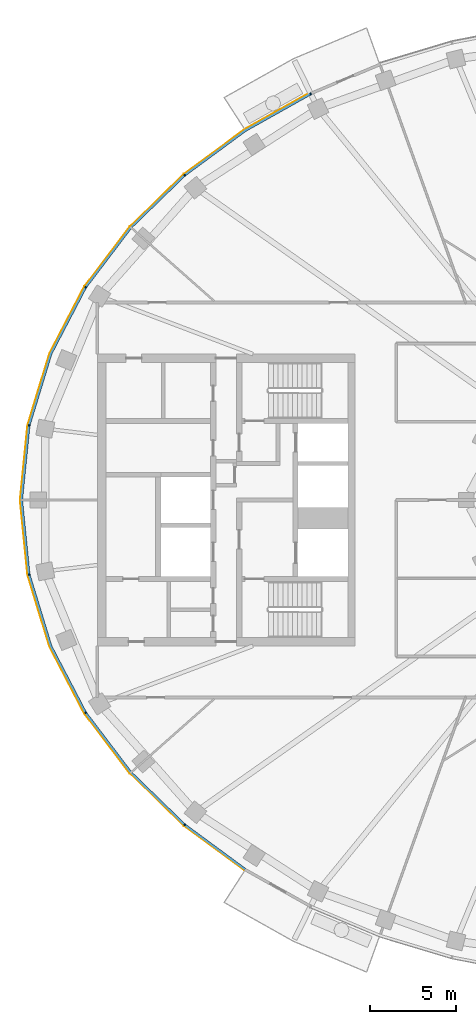
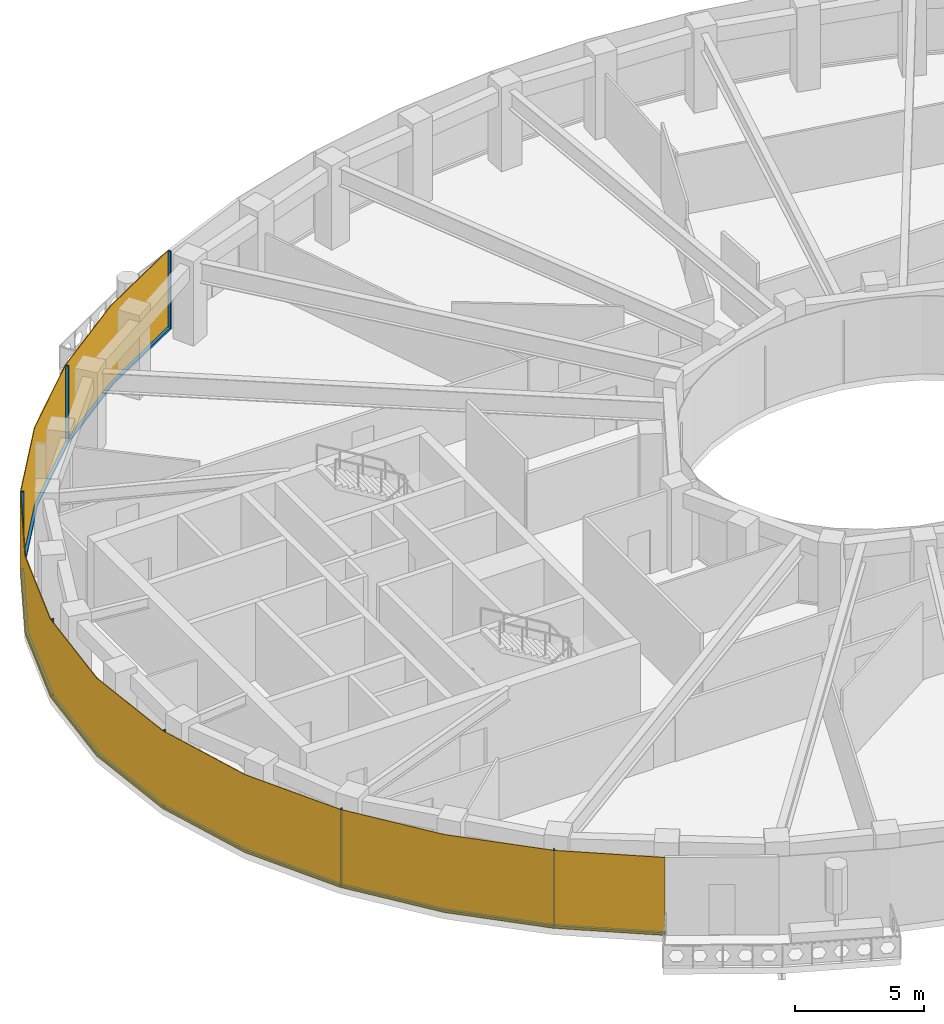
# One storey, part 8 of 15: 14 members, 1 curtain wall.
"""IFC4 building model written with IfcOpenShell, lengths in metres."""

import ifcopenshell
import ifcopenshell.guid

model = None  # the IFC model being written
_history = None  # IfcOwnerHistory: only IFC2X3 demands one
_inside = {}  # id of a spatial element -> (the spatial element, [elements in it])
_under = {}  # id of a project, library or spatial element -> (it, [spatial elements below it])
_declared = {}  # id of a project -> (the project, [libraries it declares])
_typed = {}  # id of a type object -> (the type object, [elements of that type])
_made_of = {}  # id of a material, layer set ... -> (it, [elements and type objects made of it])


def new_model(schema):
    """Start an empty IFC model of exactly this schema.

    Asked for "IFC4X3", IfcOpenShell would pick the latest addendum, in which some entities
    have other attributes; the version numbers below select the first issue.
    IFC2X3 requires an IfcOwnerHistory on every rooted entity: one is made here for all.
    """
    global model, _history
    if schema == "IFC4X3":
        model = ifcopenshell.file(schema_version=(4, 3, 0, 0))
    else:
        model = ifcopenshell.file(schema=schema)
    _inside.clear()
    _under.clear()
    _declared.clear()
    _typed.clear()
    _made_of.clear()
    _history = None
    if model.schema == "IFC2X3":
        org = make("IfcOrganization", Name="unknown")
        user = make(
            "IfcPersonAndOrganization",
            ThePerson=make("IfcPerson", FamilyName="unknown"),
            TheOrganization=org,
        )
        app = make(
            "IfcApplication",
            ApplicationDeveloper=org,
            Version="unknown",
            ApplicationFullName="unknown",
            ApplicationIdentifier="unknown",
        )
        _history = make(
            "IfcOwnerHistory",
            OwningUser=user,
            OwningApplication=app,
            ChangeAction="ADDED",
            CreationDate=0,
        )
    return model


def make(cls, **values):
    """One entity of the class cls with the attributes given. An attribute that is None is left unset."""
    return model.create_entity(
        cls, **{name: value for name, value in values.items() if value is not None}
    )


def rooted(cls, **values):
    """An entity with a GlobalId (a new one), such as an element, a storey or a relation."""
    return make(cls, GlobalId=ifcopenshell.guid.new(), OwnerHistory=_history, **values)


def si_unit(unit_type, name, prefix=None):
    """IfcSIUnit, for example si_unit("LENGTHUNIT", "METRE", prefix="MILLI")."""
    return make("IfcSIUnit", UnitType=unit_type, Prefix=prefix, Name=name)


def assignment(units):
    """IfcUnitAssignment: the units of a project."""
    return None if units is None else make("IfcUnitAssignment", Units=units)


def point(xyz):
    """IfcCartesianPoint."""
    return None if xyz is None else make("IfcCartesianPoint", Coordinates=xyz)


def direction(xyz):
    """IfcDirection."""
    return None if xyz is None else make("IfcDirection", DirectionRatios=xyz)


def frame(location, z_axis=None, x_axis=None):
    """IfcAxis2Placement3D, a coordinate frame: its origin and axes. An axis left out is left unset."""
    return make(
        "IfcAxis2Placement3D",
        Location=point(location),
        Axis=direction(z_axis),
        RefDirection=direction(x_axis),
    )


def frame_2d(location, x_axis=None):
    """IfcAxis2Placement2D, a coordinate frame in the plane: its origin and x axis."""
    return make(
        "IfcAxis2Placement2D", Location=point(location), RefDirection=direction(x_axis)
    )


def origin():
    """The frame at (0, 0, 0) with its axes left unset."""
    return frame((0.0, 0.0, 0.0))


def origin_2d():
    """The frame at (0, 0) in the plane with its x axis left unset."""
    return frame_2d((0.0, 0.0))


def place(relative_to, where):
    """IfcLocalPlacement: puts the frame where relative to a parent placement (None: the world)."""
    return make(
        "IfcLocalPlacement", PlacementRelTo=relative_to, RelativePlacement=where
    )


def context(
    kind, dimensions, precision=None, world=None, true_north=None, identifier=None
):
    """IfcGeometricRepresentationContext, for example the 3D "Model" context."""
    return make(
        "IfcGeometricRepresentationContext",
        ContextIdentifier=identifier,
        ContextType=kind,
        CoordinateSpaceDimension=dimensions,
        Precision=precision,
        WorldCoordinateSystem=world,
        TrueNorth=true_north,
    )


def subcontext(parent, identifier, kind, view, scale=None):
    """IfcGeometricRepresentationSubContext, for example "Body" below "Model"."""
    return make(
        "IfcGeometricRepresentationSubContext",
        ContextIdentifier=identifier,
        ContextType=kind,
        ParentContext=parent,
        TargetScale=scale,
        TargetView=view,
    )


def project(units=None, contexts=None):
    """IfcProject with its units and contexts."""
    return rooted(
        "IfcProject",
        Name="project",
        RepresentationContexts=contexts,
        UnitsInContext=assignment(units),
    )


def spatial(cls, under=None, at=None, **own):
    """A site, building, storey or space (cls), placed at a placement, below another one or the project."""
    s = rooted(cls, ObjectPlacement=at, **own)
    if under is not None:
        _under.setdefault(under.id(), (under, []))[1].append(s)
    return s


def polyline(points):
    """IfcPolyline through the points."""
    return make("IfcPolyline", Points=[point(p) for p in points])


def profile(cls, at=None, kind="AREA", **sizes):
    """A parametric profile (cls). Its sizes go by their IFC names, for example OverallWidth=200.0."""
    return make(cls, ProfileType=kind, Position=at, **sizes)


def rectangle(**sizes):
    """IfcRectangleProfileDef."""
    return profile("IfcRectangleProfileDef", **sizes)


def outline(outer, holes=None, kind="AREA"):
    """IfcArbitraryClosedProfileDef: a profile drawn as a closed curve; with holes, ...WithVoids."""
    if holes is None:
        return make("IfcArbitraryClosedProfileDef", ProfileType=kind, OuterCurve=outer)
    return make(
        "IfcArbitraryProfileDefWithVoids",
        ProfileType=kind,
        OuterCurve=outer,
        InnerCurves=holes,
    )


def extrude(swept, where, along, depth):
    """IfcExtrudedAreaSolid: the profile swept, set in the frame where, extruded along a direction by depth."""
    return make(
        "IfcExtrudedAreaSolid",
        SweptArea=swept,
        Position=where,
        ExtrudedDirection=direction(along),
        Depth=depth,
    )


def shape(context_of_items, identifier, shape_type, items):
    """IfcShapeRepresentation: the items that make up one representation, for example the "Body"."""
    return make(
        "IfcShapeRepresentation",
        ContextOfItems=context_of_items,
        RepresentationIdentifier=identifier,
        RepresentationType=shape_type,
        Items=items,
    )


def material(Name=None, Category=None):
    """IfcMaterial."""
    return make("IfcMaterial", Name=Name, Category=Category)


def layer(
    of_material, thickness, ventilated=None, Name=None, Category=None, Priority=None
):
    """IfcMaterialLayer: one layer of a wall or slab, of a material (None: an air gap)."""
    return make(
        "IfcMaterialLayer",
        Material=of_material,
        LayerThickness=thickness,
        IsVentilated=ventilated,
        Name=Name,
        Category=Category,
        Priority=Priority,
    )


def layer_set(layers, Name=None):
    """IfcMaterialLayerSet."""
    return make("IfcMaterialLayerSet", MaterialLayers=layers, LayerSetName=Name)


def material_profile(
    of_material, cross_section, Name=None, Category=None, Priority=None
):
    """IfcMaterialProfile: a cross section and its material."""
    return make(
        "IfcMaterialProfile",
        Name=Name,
        Material=of_material,
        Profile=cross_section,
        Priority=Priority,
        Category=Category,
    )


def profile_set(profiles, Name=None, composite=None):
    """IfcMaterialProfileSet."""
    return make(
        "IfcMaterialProfileSet",
        Name=Name,
        MaterialProfiles=profiles,
        CompositeProfile=composite,
    )


def made_of(thing, what):
    """Note that an element or type object is made of a material, layer set ...; save() writes the relation."""
    if what is not None:
        _made_of.setdefault(what.id(), (what, []))[1].append(thing)
    return thing


def type_object(cls, material=None, **own):
    """A type object (cls), such as IfcWallType, which elements share."""
    return made_of(rooted(cls, **own), material)


def element(
    cls,
    number,
    at=None,
    inside=None,
    cuts=None,
    type_object=None,
    material=None,
    context=None,
    identifier="Body",
    shape_type=None,
    held_by="IfcProductDefinitionShape",
    body=None,
    shapes=None,
    **own,
):
    """One element of the class cls, such as IfcWall. Its Tag is "e" and its number.

    at: its placement. inside: the storey or other place that contains it. cuts: it is an
    opening in that element (IfcRelVoidsElement). A single representation is given by context,
    identifier, shape_type and body (its items); several are given by shapes. held_by: the class
    of the entity that holds the representations. save() writes the other relations.
    """
    e = rooted(cls, Tag="e%d" % number, ObjectPlacement=at, **own)
    if body is not None:
        shapes = [shape(context, identifier, shape_type, body)]
    if shapes is not None:
        e.Representation = make(held_by, Representations=shapes)
    if inside is not None:
        _inside.setdefault(inside.id(), (inside, []))[1].append(e)
    if cuts is not None:
        rooted(
            "IfcRelVoidsElement", RelatingBuildingElement=cuts, RelatedOpeningElement=e
        )
    if type_object is not None:
        _typed.setdefault(type_object.id(), (type_object, []))[1].append(e)
    return made_of(e, material)


def aggregate(whole, parts):
    """IfcRelAggregates: a whole, such as a stair, and the parts it consists of."""
    return rooted("IfcRelAggregates", RelatingObject=whole, RelatedObjects=parts)


def save(model, path):
    """Write the relations noted so far, then the file.

    IfcRelAggregates (storeys below a building ...), IfcRelContainedInSpatialStructure (elements
    in a storey), IfcRelDefinesByType, IfcRelAssociatesMaterial and IfcRelDeclares: one each for
    every whole, place, type object, material and project.
    """
    for whole, parts in _under.values():
        aggregate(whole, parts)
    for where, things in _inside.values():
        rooted(
            "IfcRelContainedInSpatialStructure",
            RelatedElements=things,
            RelatingStructure=where,
        )
    for kind, things in _typed.values():
        rooted("IfcRelDefinesByType", RelatedObjects=things, RelatingType=kind)
    for what, things in _made_of.values():
        rooted("IfcRelAssociatesMaterial", RelatedObjects=things, RelatingMaterial=what)
    for by, libraries in _declared.values():
        rooted("IfcRelDeclares", RelatingContext=by, RelatedDefinitions=libraries)
    model.write(path)


model = new_model("IFC4")

# Units and contexts
model_context = context("Model", 3, precision=1e-05, world=origin(), true_north=direction((0.0, 1.0)))
body_context = subcontext(model_context, "Body", "Model", "MODEL_VIEW")
ifc_project = project(units=[si_unit("LENGTHUNIT", "METRE"), si_unit("AREAUNIT", "SQUARE_METRE"), si_unit("VOLUMEUNIT", "CUBIC_METRE"), si_unit("PLANEANGLEUNIT", "RADIAN"), si_unit("MASSUNIT", "GRAM", prefix="KILO")], contexts=[model_context])

# Member
ifc_material_1 = material(Name="Aluminium 6063-T6 black anodised", Category="aluminium")
ifc_material_profile = material_profile(ifc_material_1, rectangle(XDim=0.1201171875, YDim=0.06005859375, at=origin_2d()), Name="120x60")
ifc_profile_set = profile_set([ifc_material_profile], Name="Aluminium 6063-T6 black anodised")
member_type_1 = type_object("IfcMemberType", Name="ENV-MULLION-A-120", PredefinedType="MULLION", material=ifc_profile_set)
site_placement = place(None, origin())
building_placement = place(site_placement, origin())
storey_placement = place(building_placement, frame((0.0, 0.0, 307.0)))
member_1_placement = place(storey_placement, frame((-19.06787109375, 23.6474609375, 0.0), z_axis=(0.0, 0.0, 1.0), x_axis=(0.439237769837, -0.898370848563, 0.0)))
member_1 = element("IfcMember", 1, at=member_1_placement, type_object=member_type_1, Name="Mullion A radial 17", PredefinedType="MULLION", context=body_context, shape_type="SweptSolid", body=[
    extrude(rectangle(XDim=0.1201171875, YDim=0.06005859375, at=origin_2d()), origin(), (0.0, 0.0, 1.0), 3.699951171875),
])

member_2_placement = place(storey_placement, frame((-26.403564453125, 18.9130859375, 0.0), z_axis=(0.0, 0.0, 1.0), x_axis=(0.646451313783, -0.762955240435, 0.0)))
member_2 = element("IfcMember", 2, at=member_2_placement, type_object=member_type_1, Name="Mullion A radial 19", PredefinedType="MULLION", context=body_context, shape_type="SweptSolid", body=[
    extrude(rectangle(XDim=0.1201171875, YDim=0.06005859375, at=origin_2d()), origin(), (0.0, 0.0, 1.0), 3.699951171875),
])

member_3_placement = place(storey_placement, frame((-32.177490234375, 12.385498046875, 0.0), z_axis=(0.0, 0.0, 1.0), x_axis=(0.844829880882, -0.53503501976, 0.0)))
member_3 = element("IfcMember", 3, at=member_3_placement, type_object=member_type_1, Name="Mullion A radial 21", PredefinedType="MULLION", context=body_context, shape_type="SweptSolid", body=[
    extrude(rectangle(XDim=0.1201171875, YDim=0.06005859375, at=origin_2d()), origin(), (0.0, 0.0, 1.0), 3.699951171875),
])

member_4_placement = place(storey_placement, frame((-35.470947265625, 4.340576171875, 0.0), z_axis=(0.0, 0.0, 1.0), x_axis=(0.980379083141, -0.19712141776, 0.0)))
member_4 = element("IfcMember", 4, at=member_4_placement, type_object=member_type_1, Name="Mullion A radial 23", PredefinedType="MULLION", context=body_context, shape_type="SweptSolid", body=[
    extrude(rectangle(XDim=0.1201171875, YDim=0.06005859375, at=origin_2d()), origin(), (0.0, 0.0, 1.0), 3.699951171875),
])

member_5_placement = place(storey_placement, frame((-35.470947265625, -4.340576171875, 0.0), z_axis=(0.0, 0.0, 1.0), x_axis=(0.980379083141, 0.19712141776, 0.0)))
member_5 = element("IfcMember", 5, at=member_5_placement, type_object=member_type_1, Name="Mullion A radial 25", PredefinedType="MULLION", context=body_context, shape_type="SweptSolid", body=[
    extrude(rectangle(XDim=0.1201171875, YDim=0.06005859375, at=origin_2d()), origin(), (0.0, 0.0, 1.0), 3.699951171875),
])

member_6_placement = place(storey_placement, frame((-32.177490234375, -12.385498046875, 0.0), z_axis=(0.0, 0.0, 1.0), x_axis=(0.844829880882, 0.53503501976, 0.0)))
member_6 = element("IfcMember", 6, at=member_6_placement, type_object=member_type_1, Name="Mullion A radial 27", PredefinedType="MULLION", context=body_context, shape_type="SweptSolid", body=[
    extrude(rectangle(XDim=0.1201171875, YDim=0.06005859375, at=origin_2d()), origin(), (0.0, 0.0, 1.0), 3.699951171875),
])

member_7_placement = place(storey_placement, frame((-26.403564453125, -18.9130859375, 0.0), z_axis=(0.0, 0.0, 1.0), x_axis=(0.646451313783, 0.762955240435, 0.0)))
member_7 = element("IfcMember", 7, at=member_7_placement, type_object=member_type_1, Name="Mullion A radial 29", PredefinedType="MULLION", context=body_context, shape_type="SweptSolid", body=[
    extrude(rectangle(XDim=0.1201171875, YDim=0.06005859375, at=origin_2d()), origin(), (0.0, 0.0, 1.0), 3.699951171875),
])

ifc_material_2 = material(Name="Aluminium 6063-T6 black anodised", Category="aluminium")
member_type_2 = type_object("IfcMemberType", Name="ENV-TRANSOM-A", PredefinedType="USERDEFINED", material=ifc_material_2)
member_8_placement = place(storey_placement, origin())
member_8 = element("IfcMember", 8, at=member_8_placement, type_object=member_type_2, Name="Transom A radial 17-19", ObjectType="TRANSOM", PredefinedType="USERDEFINED", context=body_context, shape_type="SweptSolid", body=[
    extrude(outline(polyline([(-19.11865234375, 23.687744140625), (-22.9150390625, 21.556884765625), (-26.419921875, 18.975341796875), (-26.342041015625, 18.883544921875), (-22.85009765625, 21.455810546875), (-19.06591796875, 23.57958984375), (-19.11865234375, 23.687744140625)])), origin(), (0.0, 0.0, 1.0), 0.10009765625),
])

member_9_placement = place(storey_placement, origin())
member_9 = element("IfcMember", 9, at=member_9_placement, type_object=member_type_2, Name="Transom A radial 19-21", ObjectType="TRANSOM", PredefinedType="USERDEFINED", context=body_context, shape_type="SweptSolid", body=[
    extrude(outline(polyline([(-26.46240234375, 18.939208984375), (-29.58349609375, 15.906982421875), (-32.211181640625, 12.43994140625), (-32.109375, 12.37548828125), (-29.493408203125, 15.8271484375), (-26.384765625, 18.847412109375), (-26.46240234375, 18.939208984375)])), origin(), (0.0, 0.0, 1.0), 0.10009765625),
])

member_10_placement = place(storey_placement, origin())
member_10 = element("IfcMember", 10, at=member_10_placement, type_object=member_type_2, Name="Transom A radial 21-23", ObjectType="TRANSOM", PredefinedType="USERDEFINED", context=body_context, shape_type="SweptSolid", body=[
    extrude(outline(polyline([(-32.240966796875, 12.392578125), (-34.251220703125, 8.53662109375), (-35.521484375, 4.379150390625), (-35.4033203125, 4.355224609375), (-34.139892578125, 8.490966796875), (-32.139404296875, 12.328369140625), (-32.240966796875, 12.392578125)])), origin(), (0.0, 0.0, 1.0), 0.10009765625),
])

member_11_placement = place(storey_placement, origin())
member_11 = element("IfcMember", 11, at=member_11_placement, type_object=member_type_2, Name="Transom A radial 23-25", ObjectType="TRANSOM", PredefinedType="USERDEFINED", context=body_context, shape_type="SweptSolid", body=[
    extrude(outline(polyline([(-35.532470703125, 4.324462890625), (-35.9677734375, 0.0), (-35.532470703125, -4.324462890625), (-35.414306640625, -4.30078125), (-35.84716796875, 0.0), (-35.414306640625, 4.30078125), (-35.532470703125, 4.324462890625)])), origin(), (0.0, 0.0, 1.0), 0.10009765625),
])

member_12_placement = place(storey_placement, origin())
member_12 = element("IfcMember", 12, at=member_12_placement, type_object=member_type_2, Name="Transom A radial 25-27", ObjectType="TRANSOM", PredefinedType="USERDEFINED", context=body_context, shape_type="SweptSolid", body=[
    extrude(outline(polyline([(-35.521484375, -4.379150390625), (-34.251220703125, -8.53662109375), (-32.240966796875, -12.392578125), (-32.139404296875, -12.328369140625), (-34.139892578125, -8.490966796875), (-35.4033203125, -4.355224609375), (-35.521484375, -4.379150390625)])), origin(), (0.0, 0.0, 1.0), 0.10009765625),
])

member_13_placement = place(storey_placement, origin())
member_13 = element("IfcMember", 13, at=member_13_placement, type_object=member_type_2, Name="Transom A radial 27-29", ObjectType="TRANSOM", PredefinedType="USERDEFINED", context=body_context, shape_type="SweptSolid", body=[
    extrude(outline(polyline([(-32.211181640625, -12.43994140625), (-29.58349609375, -15.906982421875), (-26.46240234375, -18.939208984375), (-26.384765625, -18.847412109375), (-29.493408203125, -15.8271484375), (-32.109375, -12.37548828125), (-32.211181640625, -12.43994140625)])), origin(), (0.0, 0.0, 1.0), 0.10009765625),
])

member_14_placement = place(storey_placement, origin())
member_14 = element("IfcMember", 14, at=member_14_placement, type_object=member_type_2, Name="Transom A radial 29-30", ObjectType="TRANSOM", PredefinedType="USERDEFINED", context=body_context, shape_type="SweptSolid", body=[
    extrude(outline(polyline([(-26.419921875, -18.975341796875), (-22.931396484375, -21.544921875), (-22.8662109375, -21.444091796875), (-26.342041015625, -18.883544921875), (-26.419921875, -18.975341796875)])), origin(), (0.0, 0.0, 1.0), 0.10009765625),
])

# Site, building, storey
site = spatial("IfcSite", under=ifc_project, at=site_placement, CompositionType="ELEMENT")
building = spatial("IfcBuilding", under=site, at=building_placement, Name="Noorbagh Ring Tower", CompositionType="ELEMENT")
storey = spatial("IfcBuildingStorey", under=building, at=storey_placement, Name="L66", CompositionType="ELEMENT", Elevation=307.0)

# Curtain wall
ifc_material_3 = material(Name="Glass dark tinted laminated", Category="glass")
ifc_layer = layer(ifc_material_3, 0.031982421875)
ifc_layer_set = layer_set([ifc_layer], Name="Glass dark tinted laminated")
curtain_wall_type = type_object("IfcCurtainWallType", Name="ENV-CW-A", PredefinedType="NOTDEFINED", material=ifc_layer_set)
curtain_wall_placement = place(storey_placement, origin())
curtain_wall = element("IfcCurtainWall", 15, at=curtain_wall_placement, inside=storey, type_object=curtain_wall_type, Name="Curtain wall A R17", PredefinedType="NOTDEFINED", context=body_context, shape_type="SweptSolid", body=[
    extrude(outline(polyline([(-19.125732421875, 23.720458984375), (-22.9326171875, 21.583740234375), (-26.463134765625, 18.9833984375), (-29.607666015625, 15.927978515625), (-32.255126953125, 12.434814453125), (-34.281005859375, 8.548828125), (-35.561279296875, 4.358642578125), (-36.0, 0.0), (-35.561279296875, -4.358642578125), (-34.281005859375, -8.548828125), (-32.255126953125, -12.434814453125), (-29.607666015625, -15.927978515625), (-26.463134765625, -18.9833984375), (-22.948486328125, -21.572021484375), (-22.931396484375, -21.544921875), (-26.4423828125, -18.958740234375), (-29.58349609375, -15.906982421875), (-32.22802734375, -12.41748046875), (-34.251220703125, -8.53662109375), (-35.529541015625, -4.352294921875), (-35.9677734375, 0.0), (-35.529541015625, 4.352294921875), (-34.251220703125, 8.53662109375), (-32.22802734375, 12.41748046875), (-29.58349609375, 15.906982421875), (-26.4423828125, 18.958740234375), (-22.9150390625, 21.556884765625), (-19.111572265625, 23.691650390625), (-19.125732421875, 23.720458984375)])), origin(), (0.0, 0.0, 1.0), 3.699951171875),
])

aggregate(curtain_wall, [member_1, member_2, member_3, member_4, member_5, member_6, member_7, member_8, member_9, member_10, member_11, member_12, member_13, member_14])

save(model, "model.ifc")
